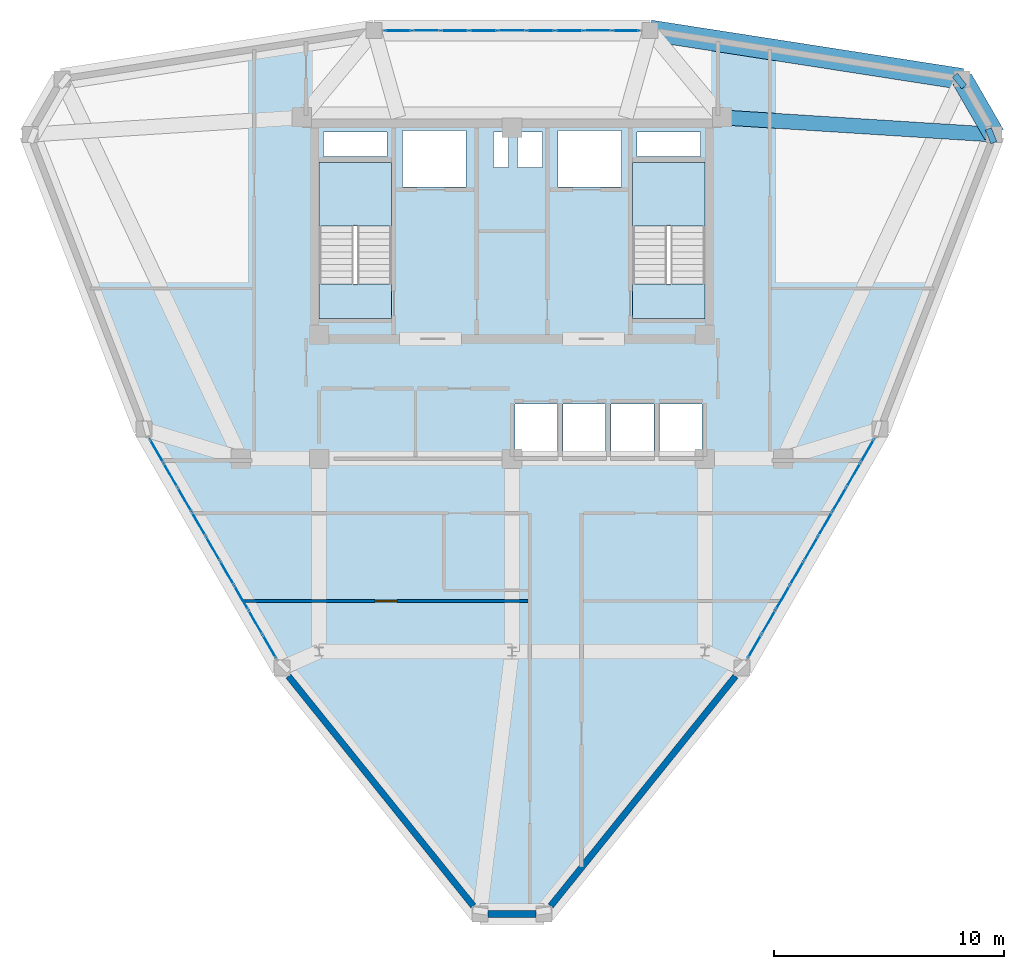
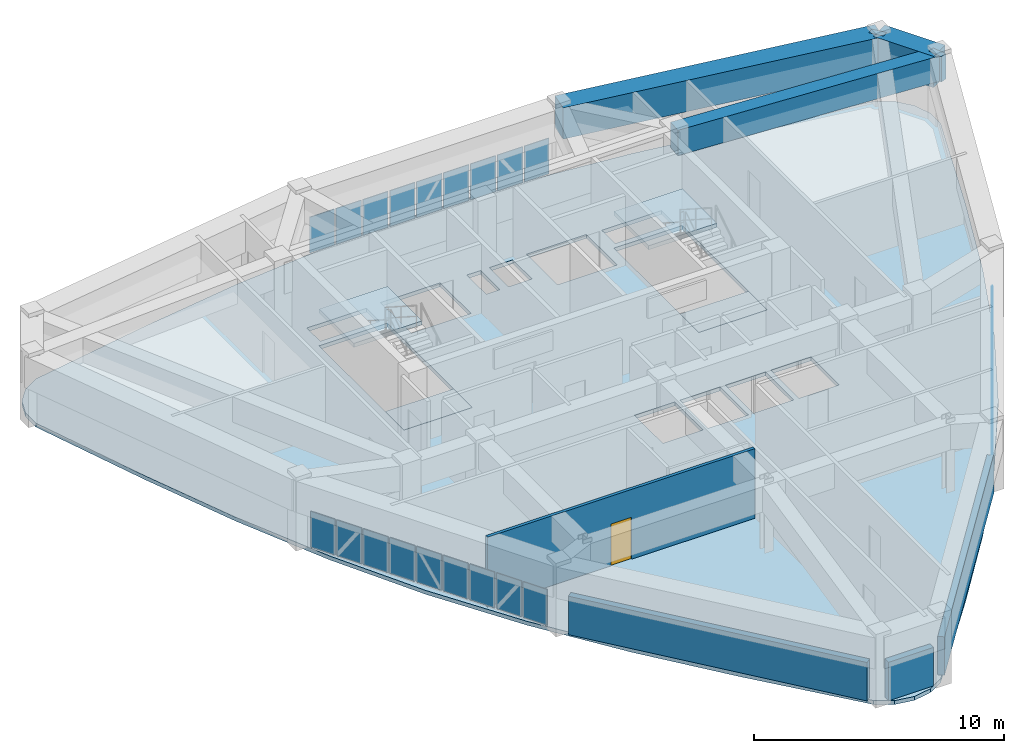
# One storey, part 12 of 15: 27 plates, 5 beams, 5 slabs, 4 walls, 1 door, 1 opening, 5 elements without a shape of their own.
"""IFC4 building model written with IfcOpenShell, lengths in metres."""

import ifcopenshell
import ifcopenshell.guid

model = None  # the IFC model being written
_history = None  # IfcOwnerHistory: only IFC2X3 demands one
_inside = {}  # id of a spatial element -> (the spatial element, [elements in it])
_under = {}  # id of a project, library or spatial element -> (it, [spatial elements below it])
_declared = {}  # id of a project -> (the project, [libraries it declares])
_typed = {}  # id of a type object -> (the type object, [elements of that type])
_made_of = {}  # id of a material, layer set ... -> (it, [elements and type objects made of it])


def new_model(schema):
    """Start an empty IFC model of exactly this schema.

    Asked for "IFC4X3", IfcOpenShell would pick the latest addendum, in which some entities
    have other attributes; the version numbers below select the first issue.
    IFC2X3 requires an IfcOwnerHistory on every rooted entity: one is made here for all.
    """
    global model, _history
    if schema == "IFC4X3":
        model = ifcopenshell.file(schema_version=(4, 3, 0, 0))
    else:
        model = ifcopenshell.file(schema=schema)
    _inside.clear()
    _under.clear()
    _declared.clear()
    _typed.clear()
    _made_of.clear()
    _history = None
    if model.schema == "IFC2X3":
        org = make("IfcOrganization", Name="unknown")
        user = make(
            "IfcPersonAndOrganization",
            ThePerson=make("IfcPerson", FamilyName="unknown"),
            TheOrganization=org,
        )
        app = make(
            "IfcApplication",
            ApplicationDeveloper=org,
            Version="unknown",
            ApplicationFullName="unknown",
            ApplicationIdentifier="unknown",
        )
        _history = make(
            "IfcOwnerHistory",
            OwningUser=user,
            OwningApplication=app,
            ChangeAction="ADDED",
            CreationDate=0,
        )
    return model


def make(cls, **values):
    """One entity of the class cls with the attributes given. An attribute that is None is left unset."""
    return model.create_entity(
        cls, **{name: value for name, value in values.items() if value is not None}
    )


def rooted(cls, **values):
    """An entity with a GlobalId (a new one), such as an element, a storey or a relation."""
    return make(cls, GlobalId=ifcopenshell.guid.new(), OwnerHistory=_history, **values)


def si_unit(unit_type, name, prefix=None):
    """IfcSIUnit, for example si_unit("LENGTHUNIT", "METRE", prefix="MILLI")."""
    return make("IfcSIUnit", UnitType=unit_type, Prefix=prefix, Name=name)


def derived_unit(unit_type, elements):
    """IfcDerivedUnit: a product of units, each with its exponent."""
    return make(
        "IfcDerivedUnit",
        Elements=[
            make("IfcDerivedUnitElement", Unit=unit, Exponent=power)
            for unit, power in elements
        ],
        UnitType=unit_type,
    )


def assignment(units):
    """IfcUnitAssignment: the units of a project."""
    return None if units is None else make("IfcUnitAssignment", Units=units)


def point(xyz):
    """IfcCartesianPoint."""
    return None if xyz is None else make("IfcCartesianPoint", Coordinates=xyz)


def direction(xyz):
    """IfcDirection."""
    return None if xyz is None else make("IfcDirection", DirectionRatios=xyz)


def frame(location, z_axis=None, x_axis=None):
    """IfcAxis2Placement3D, a coordinate frame: its origin and axes. An axis left out is left unset."""
    return make(
        "IfcAxis2Placement3D",
        Location=point(location),
        Axis=direction(z_axis),
        RefDirection=direction(x_axis),
    )


def frame_2d(location, x_axis=None):
    """IfcAxis2Placement2D, a coordinate frame in the plane: its origin and x axis."""
    return make(
        "IfcAxis2Placement2D", Location=point(location), RefDirection=direction(x_axis)
    )


def origin():
    """The frame at (0, 0, 0) with its axes left unset."""
    return frame((0.0, 0.0, 0.0))


def origin_2d():
    """The frame at (0, 0) in the plane with its x axis left unset."""
    return frame_2d((0.0, 0.0))


def place(relative_to, where):
    """IfcLocalPlacement: puts the frame where relative to a parent placement (None: the world)."""
    return make(
        "IfcLocalPlacement", PlacementRelTo=relative_to, RelativePlacement=where
    )


def context(
    kind, dimensions, precision=None, world=None, true_north=None, identifier=None
):
    """IfcGeometricRepresentationContext, for example the 3D "Model" context."""
    return make(
        "IfcGeometricRepresentationContext",
        ContextIdentifier=identifier,
        ContextType=kind,
        CoordinateSpaceDimension=dimensions,
        Precision=precision,
        WorldCoordinateSystem=world,
        TrueNorth=true_north,
    )


def subcontext(parent, identifier, kind, view, scale=None):
    """IfcGeometricRepresentationSubContext, for example "Body" below "Model"."""
    return make(
        "IfcGeometricRepresentationSubContext",
        ContextIdentifier=identifier,
        ContextType=kind,
        ParentContext=parent,
        TargetScale=scale,
        TargetView=view,
    )


def project(units=None, contexts=None):
    """IfcProject with its units and contexts."""
    return rooted(
        "IfcProject",
        Name="project",
        RepresentationContexts=contexts,
        UnitsInContext=assignment(units),
    )


def spatial(cls, under=None, at=None, **own):
    """A site, building, storey or space (cls), placed at a placement, below another one or the project."""
    s = rooted(cls, ObjectPlacement=at, **own)
    if under is not None:
        _under.setdefault(under.id(), (under, []))[1].append(s)
    return s


def polyline(points):
    """IfcPolyline through the points."""
    return make("IfcPolyline", Points=[point(p) for p in points])


def profile(cls, at=None, kind="AREA", **sizes):
    """A parametric profile (cls). Its sizes go by their IFC names, for example OverallWidth=200.0."""
    return make(cls, ProfileType=kind, Position=at, **sizes)


def rectangle(**sizes):
    """IfcRectangleProfileDef."""
    return profile("IfcRectangleProfileDef", **sizes)


def outline(outer, holes=None, kind="AREA"):
    """IfcArbitraryClosedProfileDef: a profile drawn as a closed curve; with holes, ...WithVoids."""
    if holes is None:
        return make("IfcArbitraryClosedProfileDef", ProfileType=kind, OuterCurve=outer)
    return make(
        "IfcArbitraryProfileDefWithVoids",
        ProfileType=kind,
        OuterCurve=outer,
        InnerCurves=holes,
    )


def extrude(swept, where, along, depth):
    """IfcExtrudedAreaSolid: the profile swept, set in the frame where, extruded along a direction by depth."""
    return make(
        "IfcExtrudedAreaSolid",
        SweptArea=swept,
        Position=where,
        ExtrudedDirection=direction(along),
        Depth=depth,
    )


def shape(context_of_items, identifier, shape_type, items):
    """IfcShapeRepresentation: the items that make up one representation, for example the "Body"."""
    return make(
        "IfcShapeRepresentation",
        ContextOfItems=context_of_items,
        RepresentationIdentifier=identifier,
        RepresentationType=shape_type,
        Items=items,
    )


def source(mapping_origin, context_of_items, identifier, shape_type, items):
    """IfcRepresentationMap: a shape defined once, which mapped items show again and again."""
    return make(
        "IfcRepresentationMap",
        MappingOrigin=mapping_origin,
        MappedRepresentation=shape(context_of_items, identifier, shape_type, items),
    )


def transform(
    local_origin,
    x_axis=None,
    y_axis=None,
    z_axis=None,
    scale=None,
    scale2=None,
    scale3=None,
    uniform=True,
):
    """IfcCartesianTransformationOperator3D, or its non-uniform kind. x_axis, y_axis, z_axis: its Axis1, 2, 3."""
    if uniform:
        return make(
            "IfcCartesianTransformationOperator3D",
            Axis1=direction(x_axis),
            Axis2=direction(y_axis),
            LocalOrigin=point(local_origin),
            Scale=scale,
            Axis3=direction(z_axis),
        )
    return make(
        "IfcCartesianTransformationOperator3DnonUniform",
        Axis1=direction(x_axis),
        Axis2=direction(y_axis),
        LocalOrigin=point(local_origin),
        Scale=scale,
        Axis3=direction(z_axis),
        Scale2=scale2,
        Scale3=scale3,
    )


def mapped(mapping_source, mapping_target):
    """IfcMappedItem: shows the shape of a source again, moved by a transform."""
    return make(
        "IfcMappedItem", MappingSource=mapping_source, MappingTarget=mapping_target
    )


def material(Name=None, Category=None):
    """IfcMaterial."""
    return make("IfcMaterial", Name=Name, Category=Category)


def layer(
    of_material, thickness, ventilated=None, Name=None, Category=None, Priority=None
):
    """IfcMaterialLayer: one layer of a wall or slab, of a material (None: an air gap)."""
    return make(
        "IfcMaterialLayer",
        Material=of_material,
        LayerThickness=thickness,
        IsVentilated=ventilated,
        Name=Name,
        Category=Category,
        Priority=Priority,
    )


def layer_set(layers, Name=None):
    """IfcMaterialLayerSet."""
    return make("IfcMaterialLayerSet", MaterialLayers=layers, LayerSetName=Name)


def material_profile(
    of_material, cross_section, Name=None, Category=None, Priority=None
):
    """IfcMaterialProfile: a cross section and its material."""
    return make(
        "IfcMaterialProfile",
        Name=Name,
        Material=of_material,
        Profile=cross_section,
        Priority=Priority,
        Category=Category,
    )


def profile_set(profiles, Name=None, composite=None):
    """IfcMaterialProfileSet."""
    return make(
        "IfcMaterialProfileSet",
        Name=Name,
        MaterialProfiles=profiles,
        CompositeProfile=composite,
    )


def made_of(thing, what):
    """Note that an element or type object is made of a material, layer set ...; save() writes the relation."""
    if what is not None:
        _made_of.setdefault(what.id(), (what, []))[1].append(thing)
    return thing


def type_object(cls, material=None, **own):
    """A type object (cls), such as IfcWallType, which elements share."""
    return made_of(rooted(cls, **own), material)


def element(
    cls,
    number,
    at=None,
    inside=None,
    cuts=None,
    type_object=None,
    material=None,
    context=None,
    identifier="Body",
    shape_type=None,
    held_by="IfcProductDefinitionShape",
    body=None,
    shapes=None,
    **own,
):
    """One element of the class cls, such as IfcWall. Its Tag is "e" and its number.

    at: its placement. inside: the storey or other place that contains it. cuts: it is an
    opening in that element (IfcRelVoidsElement). A single representation is given by context,
    identifier, shape_type and body (its items); several are given by shapes. held_by: the class
    of the entity that holds the representations. save() writes the other relations.
    """
    e = rooted(cls, Tag="e%d" % number, ObjectPlacement=at, **own)
    if body is not None:
        shapes = [shape(context, identifier, shape_type, body)]
    if shapes is not None:
        e.Representation = make(held_by, Representations=shapes)
    if inside is not None:
        _inside.setdefault(inside.id(), (inside, []))[1].append(e)
    if cuts is not None:
        rooted(
            "IfcRelVoidsElement", RelatingBuildingElement=cuts, RelatedOpeningElement=e
        )
    if type_object is not None:
        _typed.setdefault(type_object.id(), (type_object, []))[1].append(e)
    return made_of(e, material)


def fill(opening, filler):
    """IfcRelFillsElement: the door or window that sits in an opening."""
    return rooted(
        "IfcRelFillsElement",
        RelatingOpeningElement=opening,
        RelatedBuildingElement=filler,
    )


def aggregate(whole, parts):
    """IfcRelAggregates: a whole, such as a stair, and the parts it consists of."""
    return rooted("IfcRelAggregates", RelatingObject=whole, RelatedObjects=parts)


def save(model, path):
    """Write the relations noted so far, then the file.

    IfcRelAggregates (storeys below a building ...), IfcRelContainedInSpatialStructure (elements
    in a storey), IfcRelDefinesByType, IfcRelAssociatesMaterial and IfcRelDeclares: one each for
    every whole, place, type object, material and project.
    """
    for whole, parts in _under.values():
        aggregate(whole, parts)
    for where, things in _inside.values():
        rooted(
            "IfcRelContainedInSpatialStructure",
            RelatedElements=things,
            RelatingStructure=where,
        )
    for kind, things in _typed.values():
        rooted("IfcRelDefinesByType", RelatedObjects=things, RelatingType=kind)
    for what, things in _made_of.values():
        rooted("IfcRelAssociatesMaterial", RelatedObjects=things, RelatingMaterial=what)
    for by, libraries in _declared.values():
        rooted("IfcRelDeclares", RelatingContext=by, RelatedDefinitions=libraries)
    model.write(path)


model = new_model("IFC4")

# Units and contexts
model_context = context("Model", 3, precision=1e-05, world=origin(), true_north=direction((0.0, 1.0)))
body_context = subcontext(model_context, "Body", "Model", "MODEL_VIEW")
ifc_project = project(units=[si_unit("LENGTHUNIT", "METRE"), si_unit("AREAUNIT", "SQUARE_METRE"), si_unit("VOLUMEUNIT", "CUBIC_METRE"), si_unit("PLANEANGLEUNIT", "RADIAN"), si_unit("MASSUNIT", "GRAM", prefix="KILO"), derived_unit("THERMALTRANSMITTANCEUNIT", [(si_unit("POWERUNIT", "WATT"), 1), (si_unit("LENGTHUNIT", "METRE"), -2), (si_unit("THERMODYNAMICTEMPERATUREUNIT", "KELVIN"), -1)])], contexts=[model_context])

# Site, building, storey
site_placement = place(None, origin())
site = spatial("IfcSite", under=ifc_project, at=site_placement, CompositionType="ELEMENT")
building_placement = place(site_placement, origin())
building = spatial("IfcBuilding", under=site, at=building_placement, Name="Korsvarv Bourse and Concert Hall", CompositionType="ELEMENT")
storey_placement = place(building_placement, frame((0.0, 0.0, 250.199951171875)))
storey = spatial("IfcBuildingStorey", under=building, at=storey_placement, Name="L65", CompositionType="ELEMENT", Elevation=250.199951171875)

# Beams
ifc_material_1 = material(Name="Concrete C50/60", Category="concrete")
ifc_material_profile_1 = material_profile(ifc_material_1, rectangle(XDim=0.64990234375, YDim=1.239990234375, at=origin_2d()), Name="RC-BM 650x1240")
ifc_profile_set_1 = profile_set([ifc_material_profile_1], Name="Concrete C50/60")
beam_type_1 = type_object("IfcBeamType", Name="BM-TR-SPN", PredefinedType="BEAM", material=ifc_profile_set_1)
shared_shape_1 = source(origin(), body_context, "Body", "SweptSolid", [
    extrude(rectangle(XDim=0.64990234375, YDim=1.239990234375, at=origin_2d()), origin(), (0.0, 0.0, 1.0), 0.28271484375),
])
for number, where, z_axis, x_axis, name in (
    (1, (56.98779296875, 46.503662109375, 2.7900390625), (-0.929189641467, -0.369603314636, 0.0), (0.369603314636, -0.929189641467, 0.0), "L65 beam B-TRS"),
    (2, (55.59033203125, 48.924072265625, 2.7900390625), (-0.785148009035, -0.619308165543, 0.0), (0.619308165543, -0.785148009035, 0.0), "L65 beam B-TRS"),
):
    element("IfcBeam", number, at=place(storey_placement, frame(where, z_axis=z_axis, x_axis=x_axis)), inside=storey, type_object=beam_type_1, Name=name, PredefinedType="BEAM", context=body_context, shape_type="MappedRepresentation", body=[
        mapped(shared_shape_1, transform((0.0, 0.0, 0.0), scale=1.0)),
    ])
ifc_material_profile_2 = material_profile(ifc_material_1, rectangle(XDim=0.919921875, YDim=1.530029296875, at=origin_2d()), Name="RC-BM 920x1530")
ifc_profile_set_2 = profile_set([ifc_material_profile_2], Name="Concrete C50/60")
beam_type_2 = type_object("IfcBeamType", Name="BM-TR-154", PredefinedType="BEAM", material=ifc_profile_set_2)
shared_shape_2 = source(origin(), body_context, "Body", "SweptSolid", [
    extrude(rectangle(XDim=0.919921875, YDim=1.530029296875, at=origin_2d()), origin(), (0.0, 0.0, 1.0), 2.794921875),
])
beam_1_placement = place(storey_placement, frame((56.98779296875, 46.503662109375, 2.64501953125), z_axis=(-0.500009789943, 0.866019751484, 0.0), x_axis=(-0.866019751484, -0.500009789943, 0.0)))
element("IfcBeam", 3, at=beam_1_placement, inside=storey, type_object=beam_type_2, Name="L65 beam B-TR6", PredefinedType="BEAM", context=body_context, shape_type="MappedRepresentation", body=[
    mapped(shared_shape_2, transform((0.0, 0.0, 0.0), scale=1.0)),
])
shared_shape_3 = source(origin(), body_context, "Body", "SweptSolid", [
    extrude(rectangle(XDim=0.919921875, YDim=1.530029296875, at=origin_2d()), origin(), (0.0, 0.0, 1.0), 13.74853515625),
])
beam_2_placement = place(storey_placement, frame((55.59033203125, 48.924072265625, 2.64501953125), z_axis=(-0.988168614185, 0.153371411744, 0.0), x_axis=(-0.153371411744, -0.988168614185, 0.0)))
element("IfcBeam", 4, at=beam_2_placement, inside=storey, type_object=beam_type_2, Name="L65 beam B-TR6", PredefinedType="BEAM", context=body_context, shape_type="MappedRepresentation", body=[
    mapped(shared_shape_3, transform((0.0, 0.0, 0.0), scale=1.0)),
])
shared_shape_4 = source(origin(), body_context, "Body", "SweptSolid", [
    extrude(rectangle(XDim=0.64990234375, YDim=1.239990234375, at=origin_2d()), origin(), (0.0, 0.0, 1.0), 11.861328125),
])
beam_3_placement = place(storey_placement, frame((56.98779296875, 46.503662109375, 2.7900390625), z_axis=(-0.998018472991, 0.06292159858, 0.0), x_axis=(-0.06292159858, -0.998018472991, 0.0)))
element("IfcBeam", 5, at=beam_3_placement, inside=storey, type_object=beam_type_1, Name="L65 beam B-TRS", PredefinedType="BEAM", context=body_context, shape_type="MappedRepresentation", body=[
    mapped(shared_shape_4, transform((0.0, 0.0, 0.0), scale=1.0)),
])

# Slabs
ifc_material_2 = material(Name="Precast concrete C45/55", Category="concrete")
ifc_layer_1 = layer(ifc_material_2, 0.199951171875)
ifc_layer_set_1 = layer_set([ifc_layer_1], Name="Precast concrete C45/55")
slab_type_1 = type_object("IfcSlabType", Name="SLB-FLND-T", PredefinedType="LANDING", material=ifc_layer_set_1)
slab_1_placement = place(storey_placement, frame((0.0, 0.0, -0.199951171875)))
element("IfcSlab", 6, at=slab_1_placement, inside=storey, type_object=slab_type_1, Name="L65 Stair ST-T1 Floor Landing Slab", PredefinedType="LANDING", context=body_context, shape_type="SweptSolid", body=[
    extrude(outline(polyline([(30.760009765625, 38.5), (30.760009765625, 40.0), (27.60009765625, 40.0), (27.60009765625, 38.5), (30.760009765625, 38.5)])), origin(), (0.0, 0.0, 1.0), 0.199951171875),
])
slab_2_placement = place(storey_placement, frame((0.0, 0.0, -0.199951171875)))
element("IfcSlab", 7, at=slab_2_placement, inside=storey, type_object=slab_type_1, Name="L65 Stair ST-T2 Floor Landing Slab", PredefinedType="LANDING", context=body_context, shape_type="SweptSolid", body=[
    extrude(outline(polyline([(44.39990234375, 38.5), (44.39990234375, 40.0), (41.239990234375, 40.0), (41.239990234375, 38.5), (44.39990234375, 38.5)])), origin(), (0.0, 0.0, 1.0), 0.199951171875),
])

# Stair, slab
stair_type = type_object("IfcStairType", Name="STR-TYPE-04", PredefinedType="HALF_TURN_STAIR", material=ifc_material_2)
stair_1_placement = place(storey_placement, origin())
stair_1 = element("IfcStair", 8, at=stair_1_placement, inside=storey, type_object=stair_type, Name="L65 Tower West Exit Stair ST-T1", PredefinedType="HALF_TURN_STAIR")
ifc_layer_2 = layer(ifc_material_2, 0.199951171875)
ifc_layer_set_2 = layer_set([ifc_layer_2], Name="Precast concrete C45/55")
slab_type_2 = type_object("IfcSlabType", Name="SLB-ST-LND", PredefinedType="LANDING", material=ifc_layer_set_2)
slab_3_placement = place(storey_placement, frame((0.0, 0.0, 1.60009765625)))
slab_3 = element("IfcSlab", 9, at=slab_3_placement, type_object=slab_type_2, Name="ST-T1 landing 1", PredefinedType="LANDING", context=body_context, shape_type="SweptSolid", body=[
    extrude(outline(polyline([(30.760009765625, 42.52001953125), (30.760009765625, 45.300048828125), (27.60009765625, 45.300048828125), (27.60009765625, 42.52001953125), (30.760009765625, 42.52001953125)])), origin(), (0.0, 0.0, 1.0), 0.199951171875),
])
aggregate(stair_1, [slab_3])

stair_2_placement = place(storey_placement, origin())
stair_2 = element("IfcStair", 10, at=stair_2_placement, inside=storey, type_object=stair_type, Name="L65 Tower East Exit Stair ST-T2", PredefinedType="HALF_TURN_STAIR")
slab_4_placement = place(storey_placement, frame((0.0, 0.0, 1.60009765625)))
slab_4 = element("IfcSlab", 11, at=slab_4_placement, type_object=slab_type_2, Name="ST-T2 landing 1", PredefinedType="LANDING", context=body_context, shape_type="SweptSolid", body=[
    extrude(outline(polyline([(44.39990234375, 42.52001953125), (44.39990234375, 45.300048828125), (41.239990234375, 45.300048828125), (41.239990234375, 42.52001953125), (44.39990234375, 42.52001953125)])), origin(), (0.0, 0.0, 1.0), 0.199951171875),
])
aggregate(stair_2, [slab_4])

# Slab
ifc_material_3 = material(Name="Concrete C45/55", Category="concrete")
ifc_layer_3 = layer(ifc_material_3, 0.18994140625)
ifc_layer_set_3 = layer_set([ifc_layer_3], Name="Concrete C45/55")
slab_type_3 = type_object("IfcSlabType", Name="SLB-TW3", PredefinedType="FLOOR", material=ifc_layer_set_3)
slab_5_placement = place(storey_placement, frame((0.0, 0.0, -0.18994140625)))
element("IfcSlab", 12, at=slab_5_placement, inside=storey, type_object=slab_type_3, Name="L65 tower structural floor slab", PredefinedType="FLOOR", context=body_context, shape_type="SweptSolid", body=[
    extrude(outline(polyline([(56.586181640625, 45.354248046875), (54.984375, 40.93798828125), (53.281982421875, 36.6044921875), (51.3876953125, 32.4013671875), (49.239013671875, 28.3564453125), (46.810302734375, 24.47314453125), (44.11767578125, 20.731201171875), (41.2158203125, 17.090087890625), (38.192138671875, 13.49462890625), (38.191650390625, 13.493896484375), (37.552490234375, 12.732421875), (36.826171875, 12.31298828125), (36.0, 12.16748046875), (35.173828125, 12.31298828125), (34.447509765625, 12.732421875), (33.808349609375, 13.493896484375), (33.807861328125, 13.49462890625), (30.7841796875, 17.090087890625), (27.88232421875, 20.731201171875), (25.189697265625, 24.47314453125), (22.760986328125, 28.3564453125), (20.6123046875, 32.4013671875), (18.718017578125, 36.6044921875), (17.015625, 40.93798828125), (15.413818359375, 45.354248046875), (15.413330078125, 45.35498046875), (15.073486328125, 46.289306640625), (15.073486328125, 47.1279296875), (15.3603515625, 47.916259765625), (15.899658203125, 48.558837890625), (16.6259765625, 48.978271484375), (17.60498046875, 49.15087890625), (17.60595703125, 49.151123046875), (22.2314453125, 49.971923828125), (26.835693359375, 50.66455078125), (31.422607421875, 51.12548828125), (36.0, 51.287109375), (40.577392578125, 51.12548828125), (45.164306640625, 50.66455078125), (49.7685546875, 49.971923828125), (54.39404296875, 49.151123046875), (54.39501953125, 49.15087890625), (55.3740234375, 48.978271484375), (56.100341796875, 48.558837890625), (56.6396484375, 47.916259765625), (56.926513671875, 47.1279296875), (56.926513671875, 46.289306640625), (56.586669921875, 45.35498046875), (56.586181640625, 45.354248046875)]), holes=[polyline([(30.760009765625, 38.5), (30.760009765625, 45.300048828125), (27.60009765625, 45.300048828125), (27.60009765625, 38.5), (30.760009765625, 38.5)]), polyline([(44.39990234375, 38.5), (44.39990234375, 45.300048828125), (41.239990234375, 45.300048828125), (41.239990234375, 38.5), (44.39990234375, 38.5)]), polyline([(31.239990234375, 44.219970703125), (34.0, 44.219970703125), (34.0, 46.679931640625), (31.239990234375, 46.679931640625), (31.239990234375, 44.219970703125)]), polyline([(38.0, 44.219970703125), (40.760009765625, 44.219970703125), (40.760009765625, 46.679931640625), (38.0, 46.679931640625), (38.0, 44.219970703125)]), polyline([(36.1201171875, 32.52001953125), (37.97998046875, 32.52001953125), (37.97998046875, 34.780029296875), (36.1201171875, 34.780029296875), (36.1201171875, 32.52001953125)]), polyline([(38.219970703125, 32.52001953125), (40.080078125, 32.52001953125), (40.080078125, 34.780029296875), (38.219970703125, 34.780029296875), (38.219970703125, 32.52001953125)]), polyline([(40.320068359375, 32.52001953125), (42.179931640625, 32.52001953125), (42.179931640625, 34.780029296875), (40.320068359375, 34.780029296875), (40.320068359375, 32.52001953125)]), polyline([(42.419921875, 32.52001953125), (44.280029296875, 32.52001953125), (44.280029296875, 34.780029296875), (42.419921875, 34.780029296875), (42.419921875, 32.52001953125)]), polyline([(27.800048828125, 45.56005859375), (30.56005859375, 45.56005859375), (30.56005859375, 46.6201171875), (27.800048828125, 46.6201171875), (27.800048828125, 45.56005859375)]), polyline([(41.43994140625, 45.56005859375), (44.199951171875, 45.56005859375), (44.199951171875, 46.6201171875), (41.43994140625, 46.6201171875), (41.43994140625, 45.56005859375)]), polyline([(35.199951171875, 45.080078125), (35.840087890625, 45.080078125), (35.840087890625, 46.6201171875), (35.199951171875, 46.6201171875), (35.199951171875, 45.080078125)]), polyline([(36.239990234375, 45.080078125), (37.320068359375, 45.080078125), (37.320068359375, 46.6201171875), (36.239990234375, 46.6201171875), (36.239990234375, 45.080078125)])]), origin(), (0.0, 0.0, 1.0), 0.18994140625),
])

# Curtain wall, plates
ifc_material_4 = material(Name="Anodised aluminium and triple low-E glazing", Category="glass")
ifc_layer_4 = layer(ifc_material_4, 0.199951171875)
ifc_layer_set_4 = layer_set([ifc_layer_4], Name="Anodised aluminium and triple low-E glazing")
curtain_wall_type = type_object("IfcCurtainWallType", Name="CW-SYS-3", PredefinedType="NOTDEFINED", material=ifc_layer_set_4)
curtain_wall_1_placement = place(storey_placement, origin())
curtain_wall_1 = element("IfcCurtainWall", 13, at=curtain_wall_1_placement, inside=storey, type_object=curtain_wall_type, Name="L65 CW3 curtain wall CW-L65-F03", PredefinedType="NOTDEFINED")
ifc_material_5 = material(Name="Tempered triple insulated low-E architectural glass", Category="glass")
ifc_layer_5 = layer(ifc_material_5, 0.0380859375)
ifc_layer_set_5 = layer_set([ifc_layer_5], Name="Tempered triple insulated low-E architectural glass")
plate_type_1 = type_object("IfcPlateType", Name="CWP-VIS2", PredefinedType="CURTAIN_PANEL", material=ifc_layer_set_5)
shared_shape_5 = source(origin(), body_context, "Body", "SweptSolid", [
    extrude(rectangle(XDim=1.140380859375, YDim=0.0380859375, at=origin_2d()), origin(), (0.0, 0.0, 1.0), 1.75),
])
plate_1_placement = place(storey_placement, frame((40.964111328125, 51.03271484375, 0.06494140625), z_axis=(0.0, 0.0, 1.0), x_axis=(-1.0, 0.0, 0.0)))
plate_1 = element("IfcPlate", 14, at=plate_1_placement, type_object=plate_type_1, Name="CW3 faceted panel 1.1", PredefinedType="CURTAIN_PANEL", context=body_context, shape_type="MappedRepresentation", body=[
    mapped(shared_shape_5, transform((0.0, 0.0, 0.0), scale=1.0)),
])
plate_2_placement = place(storey_placement, frame((31.035888671875, 51.03271484375, 0.06494140625), z_axis=(0.0, 0.0, 1.0), x_axis=(-1.0, 0.0, 0.0)))
plate_2 = element("IfcPlate", 15, at=plate_2_placement, type_object=plate_type_1, Name="CW3 faceted panel 9.1", PredefinedType="CURTAIN_PANEL", context=body_context, shape_type="MappedRepresentation", body=[
    mapped(shared_shape_5, transform((0.0, 0.0, 0.0), scale=1.0)),
])
ifc_material_6 = material(Name="Insulated spandrel glass", Category="glass")
ifc_layer_6 = layer(ifc_material_6, 0.031982421875)
ifc_layer_set_6 = layer_set([ifc_layer_6], Name="Insulated spandrel glass")
plate_type_2 = type_object("IfcPlateType", Name="CWP-SPD1", PredefinedType="CURTAIN_PANEL", material=ifc_layer_set_6)
shared_shape_6 = source(origin(), body_context, "Body", "SweptSolid", [
    extrude(rectangle(XDim=1.175537109375, YDim=0.031982421875, at=origin_2d()), origin(), (0.0, 0.0, 1.0), 1.75),
])
plate_3_placement = place(storey_placement, frame((39.736328125, 51.03271484375, 0.06494140625), z_axis=(0.0, 0.0, 1.0), x_axis=(-1.0, 0.0, 0.0)))
plate_3 = element("IfcPlate", 16, at=plate_3_placement, type_object=plate_type_2, Name="CW3 spandrel shadow-box panel 2.1", PredefinedType="CURTAIN_PANEL", context=body_context, shape_type="MappedRepresentation", body=[
    mapped(shared_shape_6, transform((0.0, 0.0, 0.0), scale=1.0)),
])
plate_4_placement = place(storey_placement, frame((36.0, 51.03271484375, 0.06494140625), z_axis=(0.0, 0.0, 1.0), x_axis=(-1.0, 0.0, 0.0)))
plate_4 = element("IfcPlate", 17, at=plate_4_placement, type_object=plate_type_2, Name="CW3 spandrel shadow-box panel 5.1", PredefinedType="CURTAIN_PANEL", context=body_context, shape_type="MappedRepresentation", body=[
    mapped(shared_shape_6, transform((0.0, 0.0, 0.0), scale=1.0)),
])
plate_5_placement = place(storey_placement, frame((32.263671875, 51.03271484375, 0.06494140625), z_axis=(0.0, 0.0, 1.0), x_axis=(-1.0, 0.0, 0.0)))
plate_5 = element("IfcPlate", 18, at=plate_5_placement, type_object=plate_type_2, Name="CW3 spandrel shadow-box panel 8.1", PredefinedType="CURTAIN_PANEL", context=body_context, shape_type="MappedRepresentation", body=[
    mapped(shared_shape_6, transform((0.0, 0.0, 0.0), scale=1.0)),
])
shared_shape_7 = source(origin(), body_context, "Body", "SweptSolid", [
    extrude(rectangle(XDim=1.175537109375, YDim=0.0380859375, at=origin_2d()), origin(), (0.0, 0.0, 1.0), 1.75),
])
plate_6_placement = place(storey_placement, frame((38.49072265625, 51.03271484375, 0.06494140625), z_axis=(0.0, 0.0, 1.0), x_axis=(-1.0, 0.0, 0.0)))
plate_6 = element("IfcPlate", 19, at=plate_6_placement, type_object=plate_type_1, Name="CW3 faceted panel 3.1", PredefinedType="CURTAIN_PANEL", context=body_context, shape_type="MappedRepresentation", body=[
    mapped(shared_shape_7, transform((0.0, 0.0, 0.0), scale=1.0)),
])
plate_7_placement = place(storey_placement, frame((37.245361328125, 51.03271484375, 0.06494140625), z_axis=(0.0, 0.0, 1.0), x_axis=(-1.0, 0.0, 0.0)))
plate_7 = element("IfcPlate", 20, at=plate_7_placement, type_object=plate_type_1, Name="CW3 faceted panel 4.1", PredefinedType="CURTAIN_PANEL", context=body_context, shape_type="MappedRepresentation", body=[
    mapped(shared_shape_7, transform((0.0, 0.0, 0.0), scale=1.0)),
])
plate_8_placement = place(storey_placement, frame((34.754638671875, 51.03271484375, 0.06494140625), z_axis=(0.0, 0.0, 1.0), x_axis=(-1.0, 0.0, 0.0)))
plate_8 = element("IfcPlate", 21, at=plate_8_placement, type_object=plate_type_1, Name="CW3 faceted panel 6.1", PredefinedType="CURTAIN_PANEL", context=body_context, shape_type="MappedRepresentation", body=[
    mapped(shared_shape_7, transform((0.0, 0.0, 0.0), scale=1.0)),
])
plate_9_placement = place(storey_placement, frame((33.50927734375, 51.03271484375, 0.06494140625), z_axis=(0.0, 0.0, 1.0), x_axis=(-1.0, 0.0, 0.0)))
plate_9 = element("IfcPlate", 22, at=plate_9_placement, type_object=plate_type_1, Name="CW3 faceted panel 7.1", PredefinedType="CURTAIN_PANEL", context=body_context, shape_type="MappedRepresentation", body=[
    mapped(shared_shape_7, transform((0.0, 0.0, 0.0), scale=1.0)),
])
aggregate(curtain_wall_1, [plate_1, plate_3, plate_6, plate_7, plate_4, plate_8, plate_9, plate_5, plate_2])

curtain_wall_2_placement = place(storey_placement, origin())
curtain_wall_2 = element("IfcCurtainWall", 23, at=curtain_wall_2_placement, inside=storey, type_object=curtain_wall_type, Name="L65 CW3 curtain wall CW-L65-F07", PredefinedType="NOTDEFINED")
shared_shape_8 = source(origin(), body_context, "Body", "SweptSolid", [
    extrude(rectangle(XDim=1.126708984375, YDim=0.0380859375, at=origin_2d()), origin(), (0.0, 0.0, 1.0), 1.75),
])
plate_10_placement = place(storey_placement, frame((20.526611328125, 32.735107421875, 0.06494140625), z_axis=(0.0, 0.0, 1.0), x_axis=(0.500006437765, -0.866021686907, 0.0)))
plate_10 = element("IfcPlate", 24, at=plate_10_placement, type_object=plate_type_1, Name="CW3 faceted panel 1.1", PredefinedType="CURTAIN_PANEL", context=body_context, shape_type="MappedRepresentation", body=[
    mapped(shared_shape_8, transform((0.0, 0.0, 0.0), scale=1.0)),
])
plate_11_placement = place(storey_placement, frame((25.43603515625, 24.232177734375, 0.06494140625), z_axis=(0.0, 0.0, 1.0), x_axis=(0.500006437765, -0.866021686907, 0.0)))
plate_11 = element("IfcPlate", 25, at=plate_11_placement, type_object=plate_type_1, Name="CW3 faceted panel 9.1", PredefinedType="CURTAIN_PANEL", context=body_context, shape_type="MappedRepresentation", body=[
    mapped(shared_shape_8, transform((0.0, 0.0, 0.0), scale=1.0)),
])

curtain_wall_3_placement = place(storey_placement, origin())
curtain_wall_3 = element("IfcCurtainWall", 26, at=curtain_wall_3_placement, inside=storey, type_object=curtain_wall_type, Name="L65 CW3 curtain wall CW-L65-F11", PredefinedType="NOTDEFINED")
plate_12_placement = place(storey_placement, frame((46.56396484375, 24.232177734375, 0.06494140625), z_axis=(0.0, 0.0, 1.0), x_axis=(0.500006437765, 0.866021686907, 0.0)))
plate_12 = element("IfcPlate", 27, at=plate_12_placement, type_object=plate_type_1, Name="CW3 faceted panel 1.1", PredefinedType="CURTAIN_PANEL", context=body_context, shape_type="MappedRepresentation", body=[
    mapped(shared_shape_8, transform((0.0, 0.0, 0.0), scale=1.0)),
])
plate_13_placement = place(storey_placement, frame((51.473388671875, 32.735107421875, 0.06494140625), z_axis=(0.0, 0.0, 1.0), x_axis=(0.500006437765, 0.866021686907, 0.0)))
plate_13 = element("IfcPlate", 28, at=plate_13_placement, type_object=plate_type_1, Name="CW3 faceted panel 9.1", PredefinedType="CURTAIN_PANEL", context=body_context, shape_type="MappedRepresentation", body=[
    mapped(shared_shape_8, transform((0.0, 0.0, 0.0), scale=1.0)),
])

# Plate
shared_shape_9 = source(origin(), body_context, "Body", "SweptSolid", [
    extrude(rectangle(XDim=1.16162109375, YDim=0.031982421875, at=origin_2d()), origin(), (0.0, 0.0, 1.0), 1.75),
])
plate_14_placement = place(storey_placement, frame((21.1337890625, 31.68359375, 0.06494140625), z_axis=(0.0, 0.0, 1.0), x_axis=(0.500006437765, -0.866021686907, 0.0)))
plate_14 = element("IfcPlate", 29, at=plate_14_placement, type_object=plate_type_2, Name="CW3 spandrel shadow-box panel 2.1", PredefinedType="CURTAIN_PANEL", context=body_context, shape_type="MappedRepresentation", body=[
    mapped(shared_shape_9, transform((0.0, 0.0, 0.0), scale=1.0)),
])

plate_15_placement = place(storey_placement, frame((22.981201171875, 28.483642578125, 0.06494140625), z_axis=(0.0, 0.0, 1.0), x_axis=(0.500006437765, -0.866021686907, 0.0)))
plate_15 = element("IfcPlate", 30, at=plate_15_placement, type_object=plate_type_2, Name="CW3 spandrel shadow-box panel 5.1", PredefinedType="CURTAIN_PANEL", context=body_context, shape_type="MappedRepresentation", body=[
    mapped(shared_shape_9, transform((0.0, 0.0, 0.0), scale=1.0)),
])

plate_16_placement = place(storey_placement, frame((24.828857421875, 25.28369140625, 0.06494140625), z_axis=(0.0, 0.0, 1.0), x_axis=(0.500006437765, -0.866021686907, 0.0)))
plate_16 = element("IfcPlate", 31, at=plate_16_placement, type_object=plate_type_2, Name="CW3 spandrel shadow-box panel 8.1", PredefinedType="CURTAIN_PANEL", context=body_context, shape_type="MappedRepresentation", body=[
    mapped(shared_shape_9, transform((0.0, 0.0, 0.0), scale=1.0)),
])

plate_17_placement = place(storey_placement, frame((47.171142578125, 25.28369140625, 0.06494140625), z_axis=(0.0, 0.0, 1.0), x_axis=(0.500006437765, 0.866021686907, 0.0)))
plate_17 = element("IfcPlate", 32, at=plate_17_placement, type_object=plate_type_2, Name="CW3 spandrel shadow-box panel 2.1", PredefinedType="CURTAIN_PANEL", context=body_context, shape_type="MappedRepresentation", body=[
    mapped(shared_shape_9, transform((0.0, 0.0, 0.0), scale=1.0)),
])

plate_18_placement = place(storey_placement, frame((49.018798828125, 28.483642578125, 0.06494140625), z_axis=(0.0, 0.0, 1.0), x_axis=(0.500006437765, 0.866021686907, 0.0)))
plate_18 = element("IfcPlate", 33, at=plate_18_placement, type_object=plate_type_2, Name="CW3 spandrel shadow-box panel 5.1", PredefinedType="CURTAIN_PANEL", context=body_context, shape_type="MappedRepresentation", body=[
    mapped(shared_shape_9, transform((0.0, 0.0, 0.0), scale=1.0)),
])

plate_19_placement = place(storey_placement, frame((50.8662109375, 31.68359375, 0.06494140625), z_axis=(0.0, 0.0, 1.0), x_axis=(0.500006437765, 0.866021686907, 0.0)))
plate_19 = element("IfcPlate", 34, at=plate_19_placement, type_object=plate_type_2, Name="CW3 spandrel shadow-box panel 8.1", PredefinedType="CURTAIN_PANEL", context=body_context, shape_type="MappedRepresentation", body=[
    mapped(shared_shape_9, transform((0.0, 0.0, 0.0), scale=1.0)),
])

shared_shape_10 = source(origin(), body_context, "Body", "SweptSolid", [
    extrude(rectangle(XDim=1.16162109375, YDim=0.0380859375, at=origin_2d()), origin(), (0.0, 0.0, 1.0), 1.75),
])
plate_20_placement = place(storey_placement, frame((21.74951171875, 30.616943359375, 0.06494140625), z_axis=(0.0, 0.0, 1.0), x_axis=(0.500006437765, -0.866021686907, 0.0)))
plate_20 = element("IfcPlate", 35, at=plate_20_placement, type_object=plate_type_1, Name="CW3 faceted panel 3.1", PredefinedType="CURTAIN_PANEL", context=body_context, shape_type="MappedRepresentation", body=[
    mapped(shared_shape_10, transform((0.0, 0.0, 0.0), scale=1.0)),
])

plate_21_placement = place(storey_placement, frame((22.365478515625, 29.55029296875, 0.06494140625), z_axis=(0.0, 0.0, 1.0), x_axis=(0.500006437765, -0.866021686907, 0.0)))
plate_21 = element("IfcPlate", 36, at=plate_21_placement, type_object=plate_type_1, Name="CW3 faceted panel 4.1", PredefinedType="CURTAIN_PANEL", context=body_context, shape_type="MappedRepresentation", body=[
    mapped(shared_shape_10, transform((0.0, 0.0, 0.0), scale=1.0)),
])

plate_22_placement = place(storey_placement, frame((23.59716796875, 27.4169921875, 0.06494140625), z_axis=(0.0, 0.0, 1.0), x_axis=(0.500006437765, -0.866021686907, 0.0)))
plate_22 = element("IfcPlate", 37, at=plate_22_placement, type_object=plate_type_1, Name="CW3 faceted panel 6.1", PredefinedType="CURTAIN_PANEL", context=body_context, shape_type="MappedRepresentation", body=[
    mapped(shared_shape_10, transform((0.0, 0.0, 0.0), scale=1.0)),
])

plate_23_placement = place(storey_placement, frame((24.212890625, 26.350341796875, 0.06494140625), z_axis=(0.0, 0.0, 1.0), x_axis=(0.500006437765, -0.866021686907, 0.0)))
plate_23 = element("IfcPlate", 38, at=plate_23_placement, type_object=plate_type_1, Name="CW3 faceted panel 7.1", PredefinedType="CURTAIN_PANEL", context=body_context, shape_type="MappedRepresentation", body=[
    mapped(shared_shape_10, transform((0.0, 0.0, 0.0), scale=1.0)),
])

aggregate(curtain_wall_2, [plate_10, plate_14, plate_20, plate_21, plate_15, plate_22, plate_23, plate_16, plate_11])

plate_24_placement = place(storey_placement, frame((47.787109375, 26.350341796875, 0.06494140625), z_axis=(0.0, 0.0, 1.0), x_axis=(0.500006437765, 0.866021686907, 0.0)))
plate_24 = element("IfcPlate", 39, at=plate_24_placement, type_object=plate_type_1, Name="CW3 faceted panel 3.1", PredefinedType="CURTAIN_PANEL", context=body_context, shape_type="MappedRepresentation", body=[
    mapped(shared_shape_10, transform((0.0, 0.0, 0.0), scale=1.0)),
])

plate_25_placement = place(storey_placement, frame((48.40283203125, 27.4169921875, 0.06494140625), z_axis=(0.0, 0.0, 1.0), x_axis=(0.500006437765, 0.866021686907, 0.0)))
plate_25 = element("IfcPlate", 40, at=plate_25_placement, type_object=plate_type_1, Name="CW3 faceted panel 4.1", PredefinedType="CURTAIN_PANEL", context=body_context, shape_type="MappedRepresentation", body=[
    mapped(shared_shape_10, transform((0.0, 0.0, 0.0), scale=1.0)),
])

plate_26_placement = place(storey_placement, frame((49.634521484375, 29.55029296875, 0.06494140625), z_axis=(0.0, 0.0, 1.0), x_axis=(0.500006437765, 0.866021686907, 0.0)))
plate_26 = element("IfcPlate", 41, at=plate_26_placement, type_object=plate_type_1, Name="CW3 faceted panel 6.1", PredefinedType="CURTAIN_PANEL", context=body_context, shape_type="MappedRepresentation", body=[
    mapped(shared_shape_10, transform((0.0, 0.0, 0.0), scale=1.0)),
])

plate_27_placement = place(storey_placement, frame((50.25048828125, 30.616943359375, 0.06494140625), z_axis=(0.0, 0.0, 1.0), x_axis=(0.500006437765, 0.866021686907, 0.0)))
plate_27 = element("IfcPlate", 42, at=plate_27_placement, type_object=plate_type_1, Name="CW3 faceted panel 7.1", PredefinedType="CURTAIN_PANEL", context=body_context, shape_type="MappedRepresentation", body=[
    mapped(shared_shape_10, transform((0.0, 0.0, 0.0), scale=1.0)),
])

aggregate(curtain_wall_3, [plate_12, plate_17, plate_24, plate_25, plate_18, plate_26, plate_27, plate_19, plate_13])

# Walls
ifc_material_7 = material(Name="Precast concrete C45/55 with terracotta rainscreen", Category="concrete")
ifc_layer_7 = layer(ifc_material_7, 0.300048828125)
ifc_layer_set_7 = layer_set([ifc_layer_7], Name="Precast concrete C45/55 with terracotta rainscreen")
wall_type_1 = type_object("IfcWallType", Name="WL-EXT-TC1", PredefinedType="SOLIDWALL", material=ifc_layer_set_7)
wall_1_placement = place(storey_placement, frame((34.95751953125, 12.572265625, 0.0), z_axis=(0.0, 0.0, 1.0), x_axis=(1.0, 0.0, 0.0)))
element("IfcWall", 43, at=wall_1_placement, inside=storey, type_object=wall_type_1, Name="L65 terracotta exterior wall EW-L65-B09", PredefinedType="SOLIDWALL", context=body_context, shape_type="SweptSolid", body=[
    extrude(rectangle(XDim=2.0849609375, YDim=0.300048828125, at=frame_2d((1.04248046875, 0.0))), origin(), (0.0, 0.0, 1.0), 1.880126953125),
])
ifc_material_8 = material(Name="Precast concrete C45/55 with fluted terracotta pier", Category="concrete")
ifc_layer_8 = layer(ifc_material_8, 0.280029296875)
ifc_layer_set_8 = layer_set([ifc_layer_8], Name="Precast concrete C45/55 with fluted terracotta pier")
wall_type_2 = type_object("IfcWallType", Name="WL-EXT-TC2", PredefinedType="SOLIDWALL", material=ifc_layer_set_8)
for number, where, z_axis, x_axis, name in (
    (44, (26.269287109375, 22.9287109375, 0.0), (0.0, 0.0, 1.0), (0.626898207352, -0.779101172903, 0.0), "L65 terracotta exterior wall EW-L65-B08"),
    (45, (37.68310546875, 12.92724609375, 0.0), (0.0, 0.0, 1.0), (0.626898207352, 0.779101172903, 0.0), "L65 terracotta exterior wall EW-L65-B10"),
):
    element("IfcWall", number, at=place(storey_placement, frame(where, z_axis=z_axis, x_axis=x_axis)), inside=storey, type_object=wall_type_2, Name=name, PredefinedType="SOLIDWALL", context=body_context, shape_type="SweptSolid", body=[
        extrude(rectangle(XDim=12.837158203125, YDim=0.280029296875, at=frame_2d((6.41845703125, 0.0))), origin(), (0.0, 0.0, 1.0), 1.880126953125),
    ])

# Wall, opening, door
ifc_material_9 = material(Name="Insulated steel-stud office acoustic partition", Category="gypsum")
ifc_layer_9 = layer(ifc_material_9, 0.139892578125)
ifc_layer_set_9 = layer_set([ifc_layer_9], Name="Insulated steel-stud office acoustic partition")
wall_type_3 = type_object("IfcWallType", Name="WL-INT-P1", PredefinedType="PARTITIONING", material=ifc_layer_set_9)
wall_2_placement = place(storey_placement, frame((24.31689453125, 26.205078125, 0.0), z_axis=(0.0, 0.0, 1.0), x_axis=(1.0, 0.0, 0.0)))
wall_2 = element("IfcWall", 46, at=wall_2_placement, inside=storey, type_object=wall_type_3, Name="L65 interior partition wall W-L65-TCOR-11", PredefinedType="PARTITIONING", context=body_context, shape_type="SweptSolid", body=[
    extrude(rectangle(XDim=12.376220703125, YDim=0.139892578125, at=frame_2d((6.18798828125, 0.0))), origin(), (0.0, 0.0, 1.0), 3.41015625),
])
opening_placement = place(wall_2_placement, frame((5.72705078125, 0.0, 0.0)))
opening = element("IfcOpeningElement", 47, at=opening_placement, cuts=wall_2, Name="Opening D-03", PredefinedType="OPENING", context=body_context, shape_type="SweptSolid", body=[
    extrude(rectangle(XDim=0.949951171875, YDim=2.050048828125, at=frame_2d((0.47509765625, 1.02490234375))), frame((0.0, 0.080078125, 0.0), z_axis=(0.0, -1.0, 0.0), x_axis=(1.0, 0.0, 0.0)), (0.0, 0.0, 1.0), 0.159912109375),
])
ifc_material_10 = material(Name="Nordic oak acoustic office door", Category="wood")
door_type = type_object("IfcDoorType", Name="DR-INT-1", OperationType="NOTDEFINED", PredefinedType="DOOR", material=ifc_material_10)
door_placement = place(opening_placement, origin())
door = element("IfcDoor", 48, at=door_placement, inside=storey, type_object=door_type, Name="L65 interior door DR-L65-TCOR-GLV7", OperationType="SINGLE_SWING_LEFT", OverallHeight=2.050048828125, OverallWidth=0.949951171875, PredefinedType="DOOR", context=body_context, shape_type="SweptSolid", body=[
    extrude(rectangle(XDim=0.949951171875, YDim=2.050048828125, at=frame_2d((0.47509765625, 1.02490234375))), frame((0.0, 0.02490234375, 0.0), z_axis=(0.0, -1.0, 0.0), x_axis=(1.0, 0.0, 0.0)), (0.0, 0.0, 1.0), 0.050048828125),
])
fill(opening, door)

save(model, "model.ifc")
